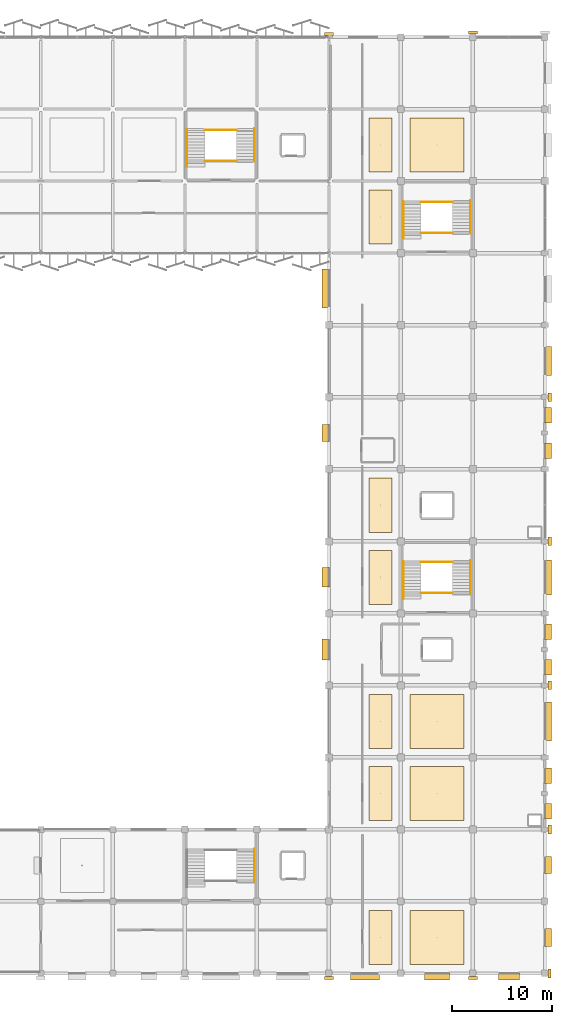
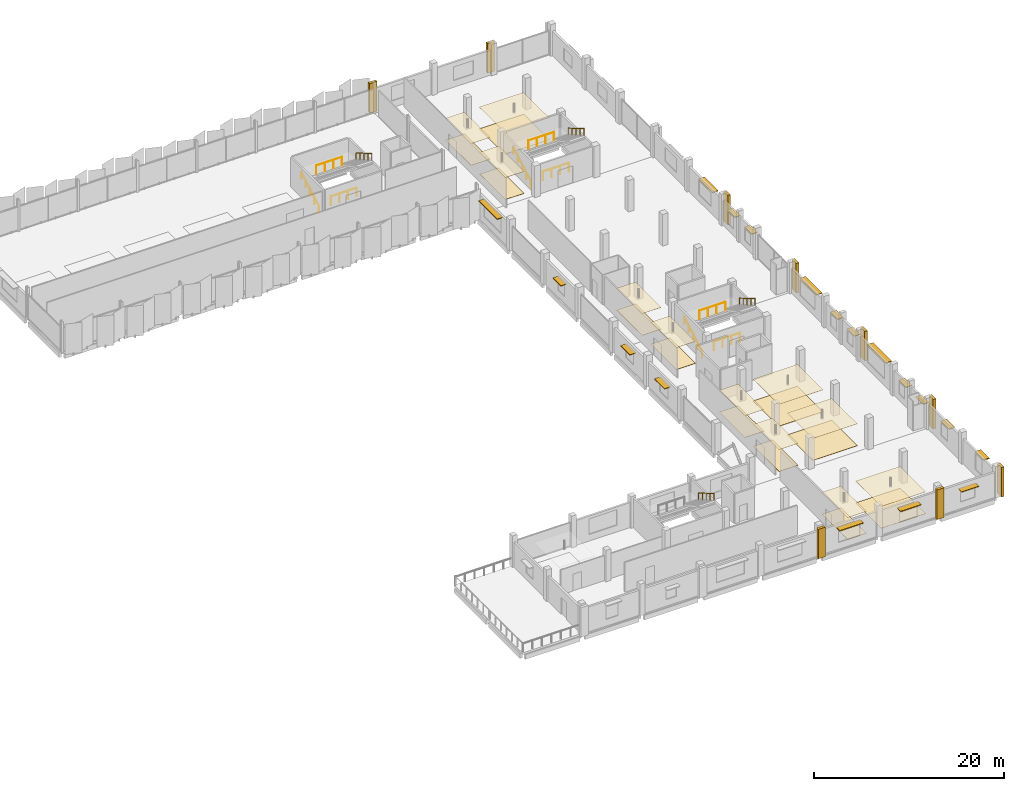
# One storey, part 90 of 91: 31 coverings, 18 shading devices, 13 railings.
"""IFC4 building model written with IfcOpenShell, lengths in metres."""

from ifc_helpers import new_model, si_unit, direction, frame, origin, origin_2d, place, context, subcontext, project, spatial, polyline, rectangle, circle, outline, extrude, material, layer, layer_set, type_object, element, save


model = new_model("IFC4")

# Units and contexts
model_context = context("Model", 3, precision=1e-05, world=origin(), true_north=direction((0.0, 1.0)))
body_context = subcontext(model_context, "Body", "Model", "MODEL_VIEW")
ifc_project = project(units=[si_unit("LENGTHUNIT", "METRE"), si_unit("AREAUNIT", "SQUARE_METRE"), si_unit("VOLUMEUNIT", "CUBIC_METRE"), si_unit("PLANEANGLEUNIT", "RADIAN"), si_unit("MASSUNIT", "GRAM", prefix="KILO")], contexts=[model_context])

# Site, building, storey
site_placement = place(None, origin())
site = spatial("IfcSite", under=ifc_project, at=site_placement, CompositionType="ELEMENT")
building_placement = place(site_placement, origin())
building = spatial("IfcBuilding", under=site, at=building_placement, Name="Kangsadwip Square Police Headquarters", CompositionType="ELEMENT")
storey_placement = place(building_placement, frame((0.0, 0.0, 13.5)))
storey = spatial("IfcBuildingStorey", under=building, at=storey_placement, Name="L03", CompositionType="ELEMENT", Elevation=13.5)

# Railings
ifc_material_1 = material(Name="Structural steel IS 2062 E250 (Grade 250, 250 MPa)", Category="steel")
railing_type_1 = type_object("IfcRailingType", Name="BalustradeGuard1100", PredefinedType="BALUSTRADE", material=ifc_material_1)
for number, where, name in (
    (1, (153.22998046875, 59.639892578125, 0.0), "Stair Guard ST-03 L03-86"),
    (2, (153.22998046875, 62.719970703125, 2.10595703125), "Stair Guard ST-03 L03-87"),
    (3, (153.22998046875, 95.639892578125, 0.0), "Stair Guard ST-04 L03-118"),
    (4, (153.22998046875, 98.719970703125, 2.10595703125), "Stair Guard ST-04 L03-119"),
    (5, (131.6298828125, 102.840087890625, 0.0), "Stair Guard ST-05 L03-138"),
    (6, (131.6298828125, 105.919921875, 2.10595703125), "Stair Guard ST-05 L03-139"),
):
    element("IfcRailing", number, at=place(storey_placement, frame(where)), inside=storey, type_object=railing_type_1, Name=name, PredefinedType="BALUSTRADE", context=body_context, shape_type="SweptSolid", body=[
        extrude(circle(Radius=0.02392578125, at=origin_2d()), frame((0.0, 0.0, 1.09619140625), z_axis=(1.0, 0.0, 0.0), x_axis=(0.0, 1.0, 0.0)), (0.0, 0.0, 1.0), 3.14013671875),
        extrude(circle(Radius=0.02099609375, at=origin_2d()), origin(), (0.0, 0.0, 1.0), 1.072021484375),
        extrude(circle(Radius=0.02099609375, at=origin_2d()), frame((1.046630859375, 0.0, 0.0)), (0.0, 0.0, 1.0), 1.072021484375),
        extrude(circle(Radius=0.02099609375, at=origin_2d()), frame((2.093505859375, 0.0, 0.0)), (0.0, 0.0, 1.0), 1.072021484375),
        extrude(circle(Radius=0.02099609375, at=origin_2d()), frame((3.14013671875, 0.0, 0.0)), (0.0, 0.0, 1.0), 1.072021484375),
    ])

# Coverings
ifc_material_2 = material(Name="Seamless anti-static epoxy and polished Kota stone interior flooring", Category="masonry")
ifc_layer_1 = layer(ifc_material_2, 0.02001953125)
ifc_layer_set_1 = layer_set([ifc_layer_1], Name="Seamless anti-static epoxy and polished Kota stone interior flooring")
covering_type_1 = type_object("IfcCoveringType", Name="InteriorStoneEpoxyFloor", PredefinedType="FLOORING", material=ifc_layer_set_1)
covering_1_placement = place(storey_placement, origin())
element("IfcCovering", 7, at=covering_1_placement, inside=storey, type_object=covering_type_1, Name="Interior Floor Finish L03-118", PredefinedType="FLOORING", context=body_context, shape_type="SweptSolid", body=[
    extrude(outline(polyline([(148.0, 94.5), (150.300048828125, 94.5), (150.300048828125, 99.89990234375), (148.0, 99.89990234375), (148.0, 94.5)])), origin(), (0.0, 0.0, 1.0), 0.02001953125),
])
covering_2_placement = place(storey_placement, origin())
element("IfcCovering", 8, at=covering_2_placement, inside=storey, type_object=covering_type_1, Name="Interior Floor Finish L03-119", PredefinedType="FLOORING", context=body_context, shape_type="SweptSolid", body=[
    extrude(outline(polyline([(148.0, 101.699951171875), (150.300048828125, 101.699951171875), (150.300048828125, 107.10009765625), (148.0, 107.10009765625), (148.0, 101.699951171875)])), origin(), (0.0, 0.0, 1.0), 0.02001953125),
])
covering_3_placement = place(storey_placement, origin())
element("IfcCovering", 9, at=covering_3_placement, inside=storey, type_object=covering_type_1, Name="Interior Floor Finish L03-120", PredefinedType="FLOORING", context=body_context, shape_type="SweptSolid", body=[
    extrude(outline(polyline([(152.10009765625, 101.699951171875), (157.5, 101.699951171875), (157.5, 107.10009765625), (152.10009765625, 107.10009765625), (152.10009765625, 101.699951171875)])), origin(), (0.0, 0.0, 1.0), 0.02001953125),
])
covering_4_placement = place(storey_placement, origin())
element("IfcCovering", 10, at=covering_4_placement, inside=storey, type_object=covering_type_1, Name="Interior Floor Finish L03-127", PredefinedType="FLOORING", context=body_context, shape_type="SweptSolid", body=[
    extrude(outline(polyline([(148.0, 36.89990234375), (150.300048828125, 36.89990234375), (150.300048828125, 42.300048828125), (148.0, 42.300048828125), (148.0, 36.89990234375)])), origin(), (0.0, 0.0, 1.0), 0.02001953125),
])
covering_5_placement = place(storey_placement, origin())
element("IfcCovering", 11, at=covering_5_placement, inside=storey, type_object=covering_type_1, Name="Interior Floor Finish L03-128", PredefinedType="FLOORING", context=body_context, shape_type="SweptSolid", body=[
    extrude(outline(polyline([(152.10009765625, 36.89990234375), (157.5, 36.89990234375), (157.5, 42.300048828125), (152.10009765625, 42.300048828125), (152.10009765625, 36.89990234375)])), origin(), (0.0, 0.0, 1.0), 0.02001953125),
])
covering_6_placement = place(storey_placement, origin())
element("IfcCovering", 12, at=covering_6_placement, inside=storey, type_object=covering_type_1, Name="Interior Floor Finish L03-129", PredefinedType="FLOORING", context=body_context, shape_type="SweptSolid", body=[
    extrude(outline(polyline([(148.0, 44.10009765625), (150.300048828125, 44.10009765625), (150.300048828125, 49.5), (148.0, 49.5), (148.0, 44.10009765625)])), origin(), (0.0, 0.0, 1.0), 0.02001953125),
])
covering_7_placement = place(storey_placement, origin())
element("IfcCovering", 13, at=covering_7_placement, inside=storey, type_object=covering_type_1, Name="Interior Floor Finish L03-130", PredefinedType="FLOORING", context=body_context, shape_type="SweptSolid", body=[
    extrude(outline(polyline([(152.10009765625, 44.10009765625), (157.5, 44.10009765625), (157.5, 49.5), (152.10009765625, 49.5), (152.10009765625, 44.10009765625)])), origin(), (0.0, 0.0, 1.0), 0.02001953125),
])
covering_8_placement = place(storey_placement, origin())
element("IfcCovering", 14, at=covering_8_placement, inside=storey, type_object=covering_type_1, Name="Interior Floor Finish L03-131", PredefinedType="FLOORING", context=body_context, shape_type="SweptSolid", body=[
    extrude(outline(polyline([(148.0, 58.5), (150.300048828125, 58.5), (150.300048828125, 63.89990234375), (148.0, 63.89990234375), (148.0, 58.5)])), origin(), (0.0, 0.0, 1.0), 0.02001953125),
])
covering_9_placement = place(storey_placement, origin())
element("IfcCovering", 15, at=covering_9_placement, inside=storey, type_object=covering_type_1, Name="Interior Floor Finish L03-132", PredefinedType="FLOORING", context=body_context, shape_type="SweptSolid", body=[
    extrude(outline(polyline([(148.0, 65.699951171875), (150.300048828125, 65.699951171875), (150.300048828125, 71.10009765625), (148.0, 71.10009765625), (148.0, 65.699951171875)])), origin(), (0.0, 0.0, 1.0), 0.02001953125),
])
covering_10_placement = place(storey_placement, origin())
element("IfcCovering", 16, at=covering_10_placement, inside=storey, type_object=covering_type_1, Name="Interior Floor Finish L03-134", PredefinedType="FLOORING", context=body_context, shape_type="SweptSolid", body=[
    extrude(outline(polyline([(148.0, 22.5), (150.300048828125, 22.5), (150.300048828125, 27.89990234375), (148.0, 27.89990234375), (148.0, 22.5)])), origin(), (0.0, 0.0, 1.0), 0.02001953125),
])
covering_11_placement = place(storey_placement, origin())
element("IfcCovering", 17, at=covering_11_placement, inside=storey, type_object=covering_type_1, Name="Interior Floor Finish L03-135", PredefinedType="FLOORING", context=body_context, shape_type="SweptSolid", body=[
    extrude(outline(polyline([(152.10009765625, 22.5), (157.5, 22.5), (157.5, 27.89990234375), (152.10009765625, 27.89990234375), (152.10009765625, 22.5)])), origin(), (0.0, 0.0, 1.0), 0.02001953125),
])

# Railings
ifc_material_3 = material(Name="Structural steel IS 2062 E250 (Grade 250, 250 MPa)", Category="steel")
railing_type_2 = type_object("IfcRailingType", Name="StairPitchHandrail900", PredefinedType="HANDRAIL", material=ifc_material_3)
railing_1_placement = place(storey_placement, frame((151.43994140625, 59.0400390625, 0.0)))
element("IfcRailing", 18, at=railing_1_placement, inside=storey, type_object=railing_type_2, Name="Stair Handrail ST-03 L03-88", PredefinedType="HANDRAIL", context=body_context, shape_type="SweptSolid", body=[
    extrude(circle(Radius=0.02392578125, at=origin_2d()), frame((0.0, 0.0, 0.8759765625), z_axis=(0.0, 0.870225440575, 0.492653714668), x_axis=(-1.0, 0.0, 0.0)), (0.0, 0.0, 1.0), 4.274658203125),
    extrude(circle(Radius=0.02099609375, at=origin_2d()), origin(), (0.0, 0.0, 1.0), 0.851806640625),
    extrude(circle(Radius=0.02099609375, at=origin_2d()), frame((0.0, 0.929931640625, 0.5263671875)), (0.0, 0.0, 1.0), 0.851806640625),
    extrude(circle(Radius=0.02099609375, at=origin_2d()), frame((0.0, 1.85986328125, 1.052978515625)), (0.0, 0.0, 1.0), 0.851806640625),
    extrude(circle(Radius=0.02099609375, at=origin_2d()), frame((0.0, 2.7900390625, 1.57958984375)), (0.0, 0.0, 1.0), 0.851806640625),
    extrude(circle(Radius=0.02099609375, at=origin_2d()), frame((0.0, 3.719970703125, 2.10595703125)), (0.0, 0.0, 1.0), 0.851806640625),
])
railing_2_placement = place(storey_placement, frame((158.159912109375, 62.860107421875, 2.10595703125)))
element("IfcRailing", 19, at=railing_2_placement, inside=storey, type_object=railing_type_2, Name="Stair Handrail ST-03 L03-89", PredefinedType="HANDRAIL", context=body_context, shape_type="SweptSolid", body=[
    extrude(circle(Radius=0.02392578125, at=origin_2d()), frame((0.0, 0.0, 0.8759765625), z_axis=(0.0, -0.860248887005, 0.509874349626), x_axis=(1.0, 0.0, 0.0)), (0.0, 0.0, 1.0), 3.81298828125),
    extrude(circle(Radius=0.02099609375, at=origin_2d()), origin(), (0.0, 0.0, 1.0), 0.851806640625),
    extrude(circle(Radius=0.02099609375, at=origin_2d()), frame((0.0, -0.820068359375, 0.486083984375)), (0.0, 0.0, 1.0), 0.851806640625),
    extrude(circle(Radius=0.02099609375, at=origin_2d()), frame((0.0, -1.64013671875, 0.97216796875)), (0.0, 0.0, 1.0), 0.851806640625),
    extrude(circle(Radius=0.02099609375, at=origin_2d()), frame((0.0, -2.4599609375, 1.4580078125)), (0.0, 0.0, 1.0), 0.851806640625),
    extrude(circle(Radius=0.02099609375, at=origin_2d()), frame((0.0, -3.280029296875, 1.944091796875)), (0.0, 0.0, 1.0), 0.851806640625),
])
railing_3_placement = place(storey_placement, frame((151.43994140625, 95.0400390625, 0.0)))
element("IfcRailing", 20, at=railing_3_placement, inside=storey, type_object=railing_type_2, Name="Stair Handrail ST-04 L03-120", PredefinedType="HANDRAIL", context=body_context, shape_type="SweptSolid", body=[
    extrude(circle(Radius=0.02392578125, at=origin_2d()), frame((0.0, 0.0, 0.8759765625), z_axis=(0.0, 0.870225440575, 0.492653714668), x_axis=(-1.0, 0.0, 0.0)), (0.0, 0.0, 1.0), 4.274658203125),
    extrude(circle(Radius=0.02099609375, at=origin_2d()), origin(), (0.0, 0.0, 1.0), 0.851806640625),
    extrude(circle(Radius=0.02099609375, at=origin_2d()), frame((0.0, 0.929931640625, 0.5263671875)), (0.0, 0.0, 1.0), 0.851806640625),
    extrude(circle(Radius=0.02099609375, at=origin_2d()), frame((0.0, 1.85986328125, 1.052978515625)), (0.0, 0.0, 1.0), 0.851806640625),
    extrude(circle(Radius=0.02099609375, at=origin_2d()), frame((0.0, 2.7900390625, 1.57958984375)), (0.0, 0.0, 1.0), 0.851806640625),
    extrude(circle(Radius=0.02099609375, at=origin_2d()), frame((0.0, 3.719970703125, 2.10595703125)), (0.0, 0.0, 1.0), 0.851806640625),
])
railing_4_placement = place(storey_placement, frame((158.159912109375, 98.860107421875, 2.10595703125)))
element("IfcRailing", 21, at=railing_4_placement, inside=storey, type_object=railing_type_2, Name="Stair Handrail ST-04 L03-121", PredefinedType="HANDRAIL", context=body_context, shape_type="SweptSolid", body=[
    extrude(circle(Radius=0.02392578125, at=origin_2d()), frame((0.0, 0.0, 0.8759765625), z_axis=(0.0, -0.860248887005, 0.509874349626), x_axis=(1.0, 0.0, 0.0)), (0.0, 0.0, 1.0), 3.81298828125),
    extrude(circle(Radius=0.02099609375, at=origin_2d()), origin(), (0.0, 0.0, 1.0), 0.851806640625),
    extrude(circle(Radius=0.02099609375, at=origin_2d()), frame((0.0, -0.820068359375, 0.486083984375)), (0.0, 0.0, 1.0), 0.851806640625),
    extrude(circle(Radius=0.02099609375, at=origin_2d()), frame((0.0, -1.64013671875, 0.97216796875)), (0.0, 0.0, 1.0), 0.851806640625),
    extrude(circle(Radius=0.02099609375, at=origin_2d()), frame((0.0, -2.4599609375, 1.4580078125)), (0.0, 0.0, 1.0), 0.851806640625),
    extrude(circle(Radius=0.02099609375, at=origin_2d()), frame((0.0, -3.280029296875, 1.944091796875)), (0.0, 0.0, 1.0), 0.851806640625),
])
railing_5_placement = place(storey_placement, frame((129.840087890625, 102.239990234375, 0.0)))
element("IfcRailing", 22, at=railing_5_placement, inside=storey, type_object=railing_type_2, Name="Stair Handrail ST-05 L03-140", PredefinedType="HANDRAIL", context=body_context, shape_type="SweptSolid", body=[
    extrude(circle(Radius=0.02392578125, at=origin_2d()), frame((0.0, 0.0, 0.8759765625), z_axis=(0.0, 0.870225440575, 0.492653714668), x_axis=(-1.0, 0.0, 0.0)), (0.0, 0.0, 1.0), 4.274658203125),
    extrude(circle(Radius=0.02099609375, at=origin_2d()), origin(), (0.0, 0.0, 1.0), 0.851806640625),
    extrude(circle(Radius=0.02099609375, at=origin_2d()), frame((0.0, 0.929931640625, 0.5263671875)), (0.0, 0.0, 1.0), 0.851806640625),
    extrude(circle(Radius=0.02099609375, at=origin_2d()), frame((0.0, 1.85986328125, 1.052978515625)), (0.0, 0.0, 1.0), 0.851806640625),
    extrude(circle(Radius=0.02099609375, at=origin_2d()), frame((0.0, 2.7900390625, 1.57958984375)), (0.0, 0.0, 1.0), 0.851806640625),
    extrude(circle(Radius=0.02099609375, at=origin_2d()), frame((0.0, 3.719970703125, 2.10595703125)), (0.0, 0.0, 1.0), 0.851806640625),
])
for number, where, name in (
    (23, (136.56005859375, 106.06005859375, 2.10595703125), "Stair Handrail ST-05 L03-141"),
    (24, (136.56005859375, 34.06005859375, 2.10595703125), "Stair Handrail ST-06 L03-157"),
):
    element("IfcRailing", number, at=place(storey_placement, frame(where)), inside=storey, type_object=railing_type_2, Name=name, PredefinedType="HANDRAIL", context=body_context, shape_type="SweptSolid", body=[
        extrude(circle(Radius=0.02392578125, at=origin_2d()), frame((0.0, 0.0, 0.8759765625), z_axis=(0.0, -0.860248887005, 0.509874349626), x_axis=(1.0, 0.0, 0.0)), (0.0, 0.0, 1.0), 3.81298828125),
        extrude(circle(Radius=0.02099609375, at=origin_2d()), origin(), (0.0, 0.0, 1.0), 0.851806640625),
        extrude(circle(Radius=0.02099609375, at=origin_2d()), frame((0.0, -0.820068359375, 0.486083984375)), (0.0, 0.0, 1.0), 0.851806640625),
        extrude(circle(Radius=0.02099609375, at=origin_2d()), frame((0.0, -1.64013671875, 0.97216796875)), (0.0, 0.0, 1.0), 0.851806640625),
        extrude(circle(Radius=0.02099609375, at=origin_2d()), frame((0.0, -2.4599609375, 1.4580078125)), (0.0, 0.0, 1.0), 0.851806640625),
        extrude(circle(Radius=0.02099609375, at=origin_2d()), frame((0.0, -3.280029296875, 1.944091796875)), (0.0, 0.0, 1.0), 0.851806640625),
    ])

# Coverings
ifc_material_4 = material(Name="Perforated mineral-fibre and acoustic baffle suspended ceiling", Category="wood")
ifc_layer_2 = layer(ifc_material_4, 0.02490234375)
ifc_layer_set_2 = layer_set([ifc_layer_2], Name="Perforated mineral-fibre and acoustic baffle suspended ceiling")
covering_type_2 = type_object("IfcCoveringType", Name="SuspendedAcousticCeiling", PredefinedType="CEILING", material=ifc_layer_set_2)
covering_12_placement = place(storey_placement, frame((0.0, 0.0, 2.800048828125)))
element("IfcCovering", 25, at=covering_12_placement, inside=storey, type_object=covering_type_2, Name="Suspended Acoustic Ceiling L03-118", PredefinedType="CEILING", context=body_context, shape_type="SweptSolid", body=[
    extrude(outline(polyline([(148.0, 94.5), (150.300048828125, 94.5), (150.300048828125, 99.89990234375), (148.0, 99.89990234375), (148.0, 94.5)])), origin(), (0.0, 0.0, 1.0), 0.02490234375),
])
covering_13_placement = place(storey_placement, frame((0.0, 0.0, 2.800048828125)))
element("IfcCovering", 26, at=covering_13_placement, inside=storey, type_object=covering_type_2, Name="Suspended Acoustic Ceiling L03-119", PredefinedType="CEILING", context=body_context, shape_type="SweptSolid", body=[
    extrude(outline(polyline([(148.0, 101.699951171875), (150.300048828125, 101.699951171875), (150.300048828125, 107.10009765625), (148.0, 107.10009765625), (148.0, 101.699951171875)])), origin(), (0.0, 0.0, 1.0), 0.02490234375),
])
covering_14_placement = place(storey_placement, frame((0.0, 0.0, 2.800048828125)))
element("IfcCovering", 27, at=covering_14_placement, inside=storey, type_object=covering_type_2, Name="Suspended Acoustic Ceiling L03-120", PredefinedType="CEILING", context=body_context, shape_type="SweptSolid", body=[
    extrude(outline(polyline([(152.10009765625, 101.699951171875), (157.5, 101.699951171875), (157.5, 107.10009765625), (152.10009765625, 107.10009765625), (152.10009765625, 101.699951171875)])), origin(), (0.0, 0.0, 1.0), 0.02490234375),
])
covering_15_placement = place(storey_placement, frame((0.0, 0.0, 2.800048828125)))
element("IfcCovering", 28, at=covering_15_placement, inside=storey, type_object=covering_type_2, Name="Suspended Acoustic Ceiling L03-127", PredefinedType="CEILING", context=body_context, shape_type="SweptSolid", body=[
    extrude(outline(polyline([(148.0, 36.89990234375), (150.300048828125, 36.89990234375), (150.300048828125, 42.300048828125), (148.0, 42.300048828125), (148.0, 36.89990234375)])), origin(), (0.0, 0.0, 1.0), 0.02490234375),
])
covering_16_placement = place(storey_placement, frame((0.0, 0.0, 2.800048828125)))
element("IfcCovering", 29, at=covering_16_placement, inside=storey, type_object=covering_type_2, Name="Suspended Acoustic Ceiling L03-128", PredefinedType="CEILING", context=body_context, shape_type="SweptSolid", body=[
    extrude(outline(polyline([(152.10009765625, 36.89990234375), (157.5, 36.89990234375), (157.5, 42.300048828125), (152.10009765625, 42.300048828125), (152.10009765625, 36.89990234375)])), origin(), (0.0, 0.0, 1.0), 0.02490234375),
])
covering_17_placement = place(storey_placement, frame((0.0, 0.0, 2.800048828125)))
element("IfcCovering", 30, at=covering_17_placement, inside=storey, type_object=covering_type_2, Name="Suspended Acoustic Ceiling L03-129", PredefinedType="CEILING", context=body_context, shape_type="SweptSolid", body=[
    extrude(outline(polyline([(148.0, 44.10009765625), (150.300048828125, 44.10009765625), (150.300048828125, 49.5), (148.0, 49.5), (148.0, 44.10009765625)])), origin(), (0.0, 0.0, 1.0), 0.02490234375),
])
covering_18_placement = place(storey_placement, frame((0.0, 0.0, 2.800048828125)))
element("IfcCovering", 31, at=covering_18_placement, inside=storey, type_object=covering_type_2, Name="Suspended Acoustic Ceiling L03-130", PredefinedType="CEILING", context=body_context, shape_type="SweptSolid", body=[
    extrude(outline(polyline([(152.10009765625, 44.10009765625), (157.5, 44.10009765625), (157.5, 49.5), (152.10009765625, 49.5), (152.10009765625, 44.10009765625)])), origin(), (0.0, 0.0, 1.0), 0.02490234375),
])
covering_19_placement = place(storey_placement, frame((0.0, 0.0, 2.800048828125)))
element("IfcCovering", 32, at=covering_19_placement, inside=storey, type_object=covering_type_2, Name="Suspended Acoustic Ceiling L03-131", PredefinedType="CEILING", context=body_context, shape_type="SweptSolid", body=[
    extrude(outline(polyline([(148.0, 58.5), (150.300048828125, 58.5), (150.300048828125, 63.89990234375), (148.0, 63.89990234375), (148.0, 58.5)])), origin(), (0.0, 0.0, 1.0), 0.02490234375),
])
covering_20_placement = place(storey_placement, frame((0.0, 0.0, 2.800048828125)))
element("IfcCovering", 33, at=covering_20_placement, inside=storey, type_object=covering_type_2, Name="Suspended Acoustic Ceiling L03-132", PredefinedType="CEILING", context=body_context, shape_type="SweptSolid", body=[
    extrude(outline(polyline([(148.0, 65.699951171875), (150.300048828125, 65.699951171875), (150.300048828125, 71.10009765625), (148.0, 71.10009765625), (148.0, 65.699951171875)])), origin(), (0.0, 0.0, 1.0), 0.02490234375),
])
covering_21_placement = place(storey_placement, frame((0.0, 0.0, 2.800048828125)))
element("IfcCovering", 34, at=covering_21_placement, inside=storey, type_object=covering_type_2, Name="Suspended Acoustic Ceiling L03-134", PredefinedType="CEILING", context=body_context, shape_type="SweptSolid", body=[
    extrude(outline(polyline([(148.0, 22.5), (150.300048828125, 22.5), (150.300048828125, 27.89990234375), (148.0, 27.89990234375), (148.0, 22.5)])), origin(), (0.0, 0.0, 1.0), 0.02490234375),
])
covering_22_placement = place(storey_placement, frame((0.0, 0.0, 2.800048828125)))
element("IfcCovering", 35, at=covering_22_placement, inside=storey, type_object=covering_type_2, Name="Suspended Acoustic Ceiling L03-135", PredefinedType="CEILING", context=body_context, shape_type="SweptSolid", body=[
    extrude(outline(polyline([(152.10009765625, 22.5), (157.5, 22.5), (157.5, 27.89990234375), (152.10009765625, 27.89990234375), (152.10009765625, 22.5)])), origin(), (0.0, 0.0, 1.0), 0.02490234375),
])
ifc_material_5 = material(Name="Glazed architectural terracotta masonry rainscreen", Category="masonry")
ifc_layer_3 = layer(ifc_material_5, 0.034912109375)
ifc_layer_set_3 = layer_set([ifc_layer_3], Name="Glazed architectural terracotta masonry rainscreen")
covering_type_3 = type_object("IfcCoveringType", Name="TerracottaPierCladding", PredefinedType="CLADDING", material=ifc_layer_set_3)
covering_23_placement = place(storey_placement, origin())
element("IfcCovering", 36, at=covering_23_placement, inside=storey, type_object=covering_type_3, Name="Terracotta Pier Cladding L03-089", PredefinedType="CLADDING", context=body_context, shape_type="SweptSolid", body=[
    extrude(outline(polyline([(165.905029296875, 21.159912109375), (166.22509765625, 21.159912109375), (166.22509765625, 22.0400390625), (165.905029296875, 22.0400390625), (165.905029296875, 21.159912109375)])), origin(), (0.0, 0.0, 1.0), 3.800048828125),
])
covering_24_placement = place(storey_placement, origin())
element("IfcCovering", 37, at=covering_24_placement, inside=storey, type_object=covering_type_3, Name="Terracotta Pier Cladding L03-090", PredefinedType="CLADDING", context=body_context, shape_type="SweptSolid", body=[
    extrude(outline(polyline([(165.929931640625, 35.56005859375), (166.25, 35.56005859375), (166.25, 36.43994140625), (165.929931640625, 36.43994140625), (165.929931640625, 35.56005859375)])), origin(), (0.0, 0.0, 1.0), 3.800048828125),
])
covering_25_placement = place(storey_placement, origin())
element("IfcCovering", 38, at=covering_25_placement, inside=storey, type_object=covering_type_3, Name="Terracotta Pier Cladding L03-091", PredefinedType="CLADDING", context=body_context, shape_type="SweptSolid", body=[
    extrude(outline(polyline([(165.929931640625, 49.9599609375), (166.25, 49.9599609375), (166.25, 50.840087890625), (165.929931640625, 50.840087890625), (165.929931640625, 49.9599609375)])), origin(), (0.0, 0.0, 1.0), 3.800048828125),
])
covering_26_placement = place(storey_placement, origin())
element("IfcCovering", 39, at=covering_26_placement, inside=storey, type_object=covering_type_3, Name="Terracotta Pier Cladding L03-092", PredefinedType="CLADDING", context=body_context, shape_type="SweptSolid", body=[
    extrude(outline(polyline([(165.929931640625, 64.360107421875), (166.25, 64.360107421875), (166.25, 65.239990234375), (165.929931640625, 65.239990234375), (165.929931640625, 64.360107421875)])), origin(), (0.0, 0.0, 1.0), 3.800048828125),
])
covering_27_placement = place(storey_placement, origin())
element("IfcCovering", 40, at=covering_27_placement, inside=storey, type_object=covering_type_3, Name="Terracotta Pier Cladding L03-093", PredefinedType="CLADDING", context=body_context, shape_type="SweptSolid", body=[
    extrude(outline(polyline([(165.929931640625, 78.760009765625), (166.25, 78.760009765625), (166.25, 79.639892578125), (165.929931640625, 79.639892578125), (165.929931640625, 78.760009765625)])), origin(), (0.0, 0.0, 1.0), 3.800048828125),
])
covering_28_placement = place(storey_placement, origin())
element("IfcCovering", 41, at=covering_28_placement, inside=storey, type_object=covering_type_3, Name="Terracotta Pier Cladding L03-099", PredefinedType="CLADDING", context=body_context, shape_type="SweptSolid", body=[
    extrude(outline(polyline([(143.56005859375, 115.35498046875), (144.43994140625, 115.35498046875), (144.43994140625, 115.675048828125), (143.56005859375, 115.675048828125), (143.56005859375, 115.35498046875)])), origin(), (0.0, 0.0, 1.0), 3.800048828125),
])
covering_29_placement = place(storey_placement, origin())
element("IfcCovering", 42, at=covering_29_placement, inside=storey, type_object=covering_type_3, Name="Terracotta Pier Cladding L03-100", PredefinedType="CLADDING", context=body_context, shape_type="SweptSolid", body=[
    extrude(outline(polyline([(157.9599609375, 115.5048828125), (158.840087890625, 115.5048828125), (158.840087890625, 115.824951171875), (157.9599609375, 115.824951171875), (157.9599609375, 115.5048828125)])), origin(), (0.0, 0.0, 1.0), 3.800048828125),
])
covering_30_placement = place(storey_placement, origin())
element("IfcCovering", 43, at=covering_30_placement, inside=storey, type_object=covering_type_3, Name="Terracotta Pier Cladding L03-104", PredefinedType="CLADDING", context=body_context, shape_type="SweptSolid", body=[
    extrude(outline(polyline([(143.56005859375, 20.97509765625), (144.43994140625, 20.97509765625), (144.43994140625, 21.294921875), (143.56005859375, 21.294921875), (143.56005859375, 20.97509765625)])), origin(), (0.0, 0.0, 1.0), 3.800048828125),
])
covering_31_placement = place(storey_placement, origin())
element("IfcCovering", 44, at=covering_31_placement, inside=storey, type_object=covering_type_3, Name="Terracotta Pier Cladding L03-105", PredefinedType="CLADDING", context=body_context, shape_type="SweptSolid", body=[
    extrude(outline(polyline([(157.9599609375, 20.97509765625), (158.840087890625, 20.97509765625), (158.840087890625, 21.294921875), (157.9599609375, 21.294921875), (157.9599609375, 20.97509765625)])), origin(), (0.0, 0.0, 1.0), 3.800048828125),
])

# Shading devices
ifc_material_6 = material(Name="Architectural terracotta and anodised aluminium AW-6061-T6", Category="aluminium")
shading_device_type = type_object("IfcShadingDeviceType", Name="TerracottaChhajjaAwning", PredefinedType="AWNING", material=ifc_material_6)
shading_device_1_placement = place(storey_placement, frame((147.60009765625, 21.300048828125, 2.6650390625), z_axis=(0.0, 0.0, 1.0), x_axis=(1.0, 0.0, 0.0)))
element("IfcShadingDevice", 45, at=shading_device_1_placement, inside=storey, type_object=shading_device_type, Name="Terracotta Chhajja Hood CHJ-L03-0164", PredefinedType="AWNING", context=body_context, shape_type="SweptSolid", body=[
    extrude(rectangle(XDim=2.89990234375, YDim=0.719970703125, at=origin_2d()), origin(), (0.0, 0.0, 1.0), 0.090087890625),
])
shading_device_2_placement = place(storey_placement, frame((154.800048828125, 21.300048828125, 2.56494140625), z_axis=(0.0, 0.0, 1.0), x_axis=(1.0, 0.0, 0.0)))
element("IfcShadingDevice", 46, at=shading_device_2_placement, inside=storey, type_object=shading_device_type, Name="Terracotta Chhajja Hood CHJ-L03-0165", PredefinedType="AWNING", context=body_context, shape_type="SweptSolid", body=[
    extrude(rectangle(XDim=2.5, YDim=0.719970703125, at=origin_2d()), origin(), (0.0, 0.0, 1.0), 0.090087890625),
])
for number, where, z_axis, x_axis, name in (
    (47, (162.0, 21.300048828125, 2.46484375), (0.0, 0.0, 1.0), (1.0, 0.0, 0.0), "Terracotta Chhajja Hood CHJ-L03-0166"),
    (48, (143.699951171875, 54.0, 2.46484375), (0.0, 0.0, 1.0), (0.0, 1.0, 0.0), "Terracotta Chhajja Hood CHJ-L03-0191"),
):
    element("IfcShadingDevice", number, at=place(storey_placement, frame(where, z_axis=z_axis, x_axis=x_axis)), inside=storey, type_object=shading_device_type, Name=name, PredefinedType="AWNING", context=body_context, shape_type="SweptSolid", body=[
        extrude(rectangle(XDim=2.10009765625, YDim=0.719970703125, at=origin_2d()), origin(), (0.0, 0.0, 1.0), 0.090087890625),
    ])
shading_device_3_placement = place(storey_placement, frame((143.699951171875, 61.199951171875, 2.4150390625), z_axis=(0.0, 0.0, 1.0), x_axis=(0.0, 1.0, 0.0)))
element("IfcShadingDevice", 49, at=shading_device_3_placement, inside=storey, type_object=shading_device_type, Name="Terracotta Chhajja Hood CHJ-L03-0192", PredefinedType="AWNING", context=body_context, shape_type="SweptSolid", body=[
    extrude(rectangle(XDim=1.949951171875, YDim=0.719970703125, at=origin_2d()), origin(), (0.0, 0.0, 1.0), 0.090087890625),
])
shading_device_4_placement = place(storey_placement, frame((143.699951171875, 75.60009765625, 2.46484375), z_axis=(0.0, 0.0, 1.0), x_axis=(0.0, 1.0, 0.0)))
element("IfcShadingDevice", 50, at=shading_device_4_placement, inside=storey, type_object=shading_device_type, Name="Terracotta Chhajja Hood CHJ-L03-0193", PredefinedType="AWNING", context=body_context, shape_type="SweptSolid", body=[
    extrude(rectangle(XDim=1.699951171875, YDim=0.719970703125, at=origin_2d()), origin(), (0.0, 0.0, 1.0), 0.090087890625),
])
shading_device_5_placement = place(storey_placement, frame((143.699951171875, 90.08349609375, 2.9150390625), z_axis=(0.0, 0.0, 1.0), x_axis=(0.0, 1.0, 0.0)))
element("IfcShadingDevice", 51, at=shading_device_5_placement, inside=storey, type_object=shading_device_type, Name="Terracotta Chhajja Hood CHJ-L03-0194", PredefinedType="AWNING", context=body_context, shape_type="SweptSolid", body=[
    extrude(rectangle(XDim=3.89990234375, YDim=0.719970703125, at=origin_2d()), origin(), (0.0, 0.0, 1.0), 0.090087890625),
])
shading_device_6_placement = place(storey_placement, frame((165.89990234375, 25.199951171875, 2.9150390625), z_axis=(0.0, 0.0, 1.0), x_axis=(0.0, 1.0, 0.0)))
element("IfcShadingDevice", 52, at=shading_device_6_placement, inside=storey, type_object=shading_device_type, Name="Terracotta Chhajja Hood CHJ-L03-0195", PredefinedType="AWNING", context=body_context, shape_type="SweptSolid", body=[
    extrude(rectangle(XDim=1.800048828125, YDim=0.719970703125, at=origin_2d()), origin(), (0.0, 0.0, 1.0), 0.090087890625),
])
shading_device_7_placement = place(storey_placement, frame((165.89990234375, 32.4375, 2.46484375), z_axis=(0.0, 0.0, 1.0), x_axis=(0.0, 1.0, 0.0)))
element("IfcShadingDevice", 53, at=shading_device_7_placement, inside=storey, type_object=shading_device_type, Name="Terracotta Chhajja Hood CHJ-L03-0196", PredefinedType="AWNING", context=body_context, shape_type="SweptSolid", body=[
    extrude(rectangle(XDim=1.699951171875, YDim=0.719970703125, at=origin_2d()), origin(), (0.0, 0.0, 1.0), 0.090087890625),
])
for number, where, z_axis, x_axis, name in (
    (54, (165.89990234375, 37.824951171875, 2.36474609375), (0.0, 0.0, 1.0), (0.0, 1.0, 0.0), "Terracotta Chhajja Hood CHJ-L03-0197"),
    (55, (165.89990234375, 41.375, 2.36474609375), (0.0, 0.0, 1.0), (0.0, 1.0, 0.0), "Terracotta Chhajja Hood CHJ-L03-0198"),
):
    element("IfcShadingDevice", number, at=place(storey_placement, frame(where, z_axis=z_axis, x_axis=x_axis)), inside=storey, type_object=shading_device_type, Name=name, PredefinedType="AWNING", context=body_context, shape_type="SweptSolid", body=[
        extrude(rectangle(XDim=1.550048828125, YDim=0.719970703125, at=origin_2d()), origin(), (0.0, 0.0, 1.0), 0.090087890625),
    ])
shading_device_8_placement = place(storey_placement, frame((165.89990234375, 46.800048828125, 2.9150390625), z_axis=(0.0, 0.0, 1.0), x_axis=(0.0, 1.0, 0.0)))
element("IfcShadingDevice", 56, at=shading_device_8_placement, inside=storey, type_object=shading_device_type, Name="Terracotta Chhajja Hood CHJ-L03-0199", PredefinedType="AWNING", context=body_context, shape_type="SweptSolid", body=[
    extrude(rectangle(XDim=3.89990234375, YDim=0.719970703125, at=origin_2d()), origin(), (0.0, 0.0, 1.0), 0.090087890625),
])
for number, where, z_axis, x_axis, name in (
    (57, (165.89990234375, 52.22509765625, 2.36474609375), (0.0, 0.0, 1.0), (0.0, 1.0, 0.0), "Terracotta Chhajja Hood CHJ-L03-0200"),
    (58, (165.89990234375, 55.77490234375, 2.36474609375), (0.0, 0.0, 1.0), (0.0, 1.0, 0.0), "Terracotta Chhajja Hood CHJ-L03-0201"),
):
    element("IfcShadingDevice", number, at=place(storey_placement, frame(where, z_axis=z_axis, x_axis=x_axis)), inside=storey, type_object=shading_device_type, Name=name, PredefinedType="AWNING", context=body_context, shape_type="SweptSolid", body=[
        extrude(rectangle(XDim=1.550048828125, YDim=0.719970703125, at=origin_2d()), origin(), (0.0, 0.0, 1.0), 0.090087890625),
    ])
shading_device_9_placement = place(storey_placement, frame((165.89990234375, 61.199951171875, 2.81494140625), z_axis=(0.0, 0.0, 1.0), x_axis=(0.0, 1.0, 0.0)))
element("IfcShadingDevice", 59, at=shading_device_9_placement, inside=storey, type_object=shading_device_type, Name="Terracotta Chhajja Hood CHJ-L03-0202", PredefinedType="AWNING", context=body_context, shape_type="SweptSolid", body=[
    extrude(rectangle(XDim=3.5, YDim=0.719970703125, at=origin_2d()), origin(), (0.0, 0.0, 1.0), 0.090087890625),
])
for number, where, z_axis, x_axis, name in (
    (60, (165.89990234375, 73.824951171875, 2.36474609375), (0.0, 0.0, 1.0), (0.0, 1.0, 0.0), "Terracotta Chhajja Hood CHJ-L03-0203"),
    (61, (165.89990234375, 77.375, 2.36474609375), (0.0, 0.0, 1.0), (0.0, 1.0, 0.0), "Terracotta Chhajja Hood CHJ-L03-0204"),
):
    element("IfcShadingDevice", number, at=place(storey_placement, frame(where, z_axis=z_axis, x_axis=x_axis)), inside=storey, type_object=shading_device_type, Name=name, PredefinedType="AWNING", context=body_context, shape_type="SweptSolid", body=[
        extrude(rectangle(XDim=1.550048828125, YDim=0.719970703125, at=origin_2d()), origin(), (0.0, 0.0, 1.0), 0.090087890625),
    ])
shading_device_10_placement = place(storey_placement, frame((165.89990234375, 82.800048828125, 2.6650390625), z_axis=(0.0, 0.0, 1.0), x_axis=(0.0, 1.0, 0.0)))
element("IfcShadingDevice", 62, at=shading_device_10_placement, inside=storey, type_object=shading_device_type, Name="Terracotta Chhajja Hood CHJ-L03-0205", PredefinedType="AWNING", context=body_context, shape_type="SweptSolid", body=[
    extrude(rectangle(XDim=2.89990234375, YDim=0.719970703125, at=origin_2d()), origin(), (0.0, 0.0, 1.0), 0.090087890625),
])

save(model, "model.ifc")
